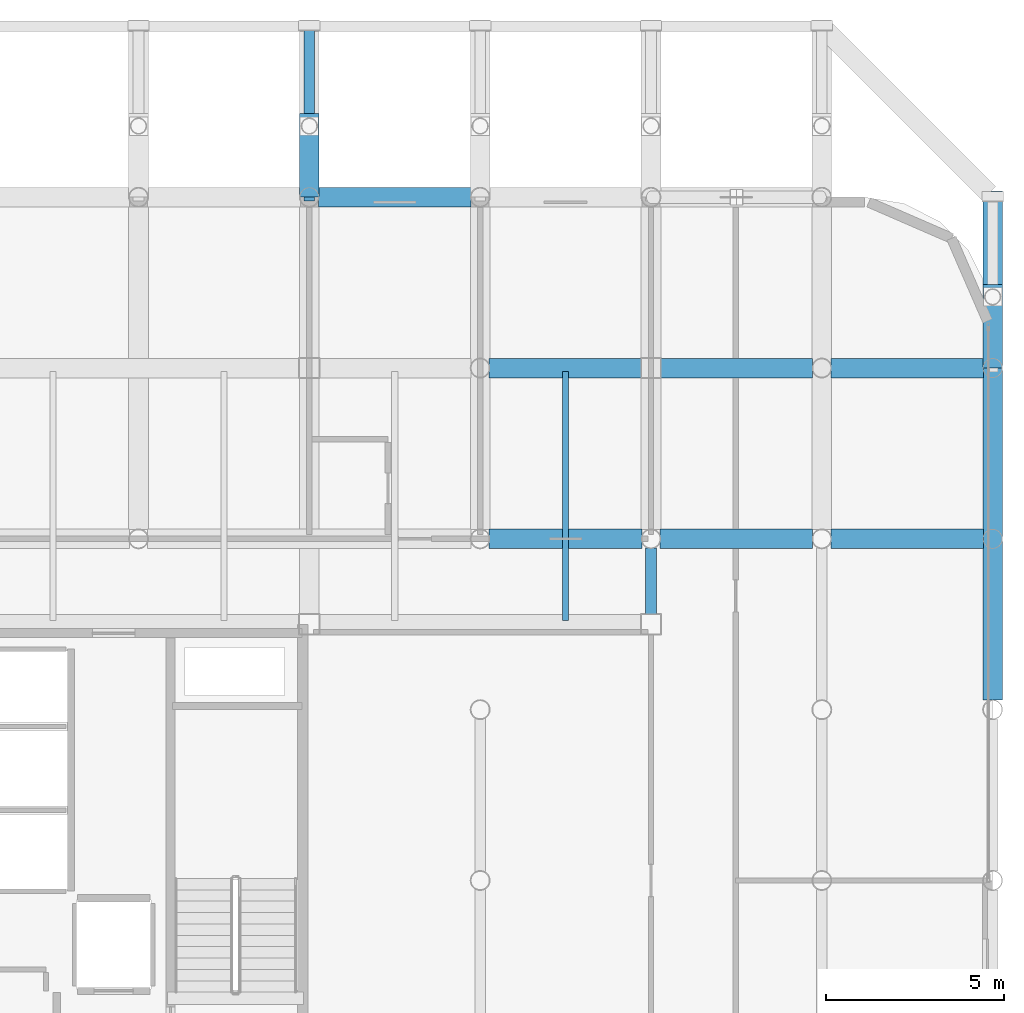
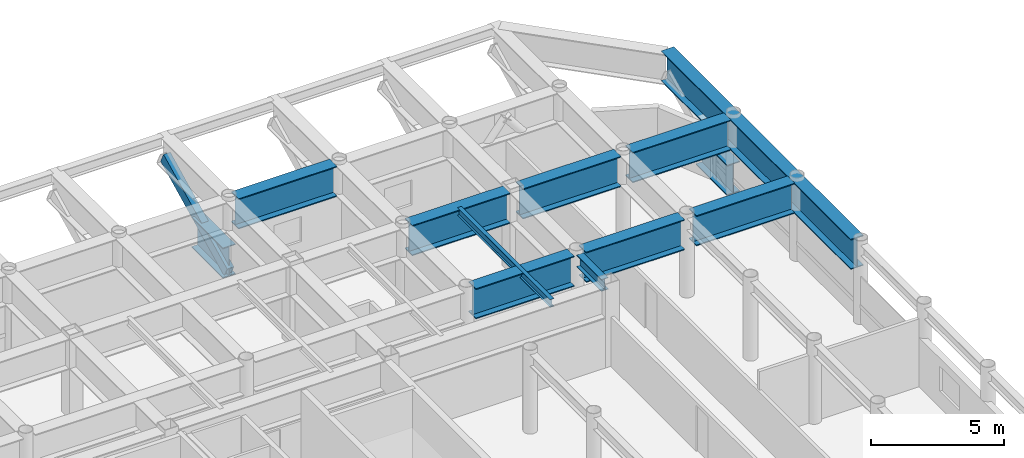
# One storey, part 17 of 24: 12 beams, 1 member.
"""IFC4 building model written with IfcOpenShell, lengths in metres."""

from ifc_helpers import new_model, si_unit, direction, frame, origin, origin_2d, place, context, subcontext, project, spatial, hollow_rectangle, i_section, extrude, material, material_profile, profile_set, type_object, element, save


model = new_model("IFC4")

# Units and contexts
model_context = context("Model", 3, precision=1e-05, world=origin(), true_north=direction((0.0, 1.0)))
body_context = subcontext(model_context, "Body", "Model", "MODEL_VIEW")
ifc_project = project(units=[si_unit("LENGTHUNIT", "METRE"), si_unit("AREAUNIT", "SQUARE_METRE"), si_unit("VOLUMEUNIT", "CUBIC_METRE"), si_unit("PLANEANGLEUNIT", "RADIAN"), si_unit("MASSUNIT", "GRAM", prefix="KILO")], contexts=[model_context])

# Site, building, storey
site_placement = place(None, origin())
site = spatial("IfcSite", under=ifc_project, at=site_placement, CompositionType="ELEMENT")
building_placement = place(site_placement, origin())
building = spatial("IfcBuilding", under=site, at=building_placement, Name="Kallvorn Hotel Tower", CompositionType="ELEMENT")
storey_placement = place(building_placement, frame((0.0, 0.0, 218.449951171875)))
storey = spatial("IfcBuildingStorey", under=building, at=storey_placement, Name="L54", CompositionType="ELEMENT", Elevation=218.449951171875)

# Beams
ifc_material_1 = material(Name="Structural steel S355JR", Category="steel")
ifc_material_profile_1 = material_profile(ifc_material_1, i_section(OverallWidth=0.300048828125, OverallDepth=0.550048828125, WebThickness=0.014892578125, FlangeThickness=0.029052734375, at=origin_2d()), Name="HE 550 B")
ifc_profile_set_1 = profile_set([ifc_material_profile_1], Name="Structural steel S355JR")
beam_type_1 = type_object("IfcBeamType", Name="BM_HE550B", PredefinedType="SPANDREL", material=ifc_profile_set_1)
beam_1_placement = place(storey_placement, frame((24.0, 7.47509765625, 3.39501953125), z_axis=(0.0, 1.0, 0.0), x_axis=(-1.0, 0.0, 0.0)))
element("IfcBeam", 1, at=beam_1_placement, inside=storey, type_object=beam_type_1, Name="L55 Primary Y-Girder 152", PredefinedType="SPANDREL", context=body_context, shape_type="SweptSolid", body=[
    extrude(i_section(OverallWidth=0.300048828125, OverallDepth=0.550048828125, WebThickness=0.014892578125, FlangeThickness=0.029052734375, at=origin_2d()), origin(), (0.0, 0.0, 1.0), 1.870361328125),
])
ifc_material_2 = material(Name="Structural steel S355JR", Category="steel")
ifc_material_profile_2 = material_profile(ifc_material_2, i_section(OverallWidth=0.169921875, OverallDepth=0.360107421875, WebThickness=0.008056640625, FlangeThickness=0.0126953125, at=origin_2d()), Name="IPE 360")
ifc_profile_set_2 = profile_set([ifc_material_profile_2], Name="Structural steel S355JR")
beam_type_2 = type_object("IfcBeamType", Name="BM_IPE360", PredefinedType="JOIST", material=ifc_profile_set_2)
beam_2_placement = place(storey_placement, frame((21.60009765625, 7.300048828125, 3.489990234375), z_axis=(0.0, 1.0, 0.0), x_axis=(-1.0, 0.0, 0.0)))
element("IfcBeam", 2, at=beam_2_placement, inside=storey, type_object=beam_type_2, Name="L55 Secondary Composite Joist 222", PredefinedType="JOIST", context=body_context, shape_type="SweptSolid", body=[
    extrude(i_section(OverallWidth=0.169921875, OverallDepth=0.360107421875, WebThickness=0.008056640625, FlangeThickness=0.0126953125, at=origin_2d()), origin(), (0.0, 0.0, 1.0), 7.0),
])
ifc_material_3 = material(Name="Structural steel S355JR", Category="steel")
ifc_material_profile_3 = material_profile(ifc_material_3, i_section(OverallWidth=0.550048828125, OverallDepth=1.39990234375, WebThickness=0.02490234375, FlangeThickness=0.044921875, at=origin_2d()), Name="PG 1400x550x25x45")
ifc_profile_set_3 = profile_set([ifc_material_profile_3], Name="Structural steel S355JR")
beam_type_3 = type_object("IfcBeamType", Name="BM_PG_1400", PredefinedType="BEAM", material=ifc_profile_set_3)
beam_3_placement = place(storey_placement, frame((14.39990234375, 19.199951171875, 0.719970703125), z_axis=(0.0, 1.0, 0.0), x_axis=(-1.0, 0.0, 0.0)))
element("IfcBeam", 3, at=beam_3_placement, inside=storey, type_object=beam_type_3, Name="L55 Cantilever Haunch Corbel 09", PredefinedType="BEAM", context=body_context, shape_type="SweptSolid", body=[
    extrude(i_section(OverallWidth=0.550048828125, OverallDepth=1.39990234375, WebThickness=0.02490234375, FlangeThickness=0.044921875, at=origin_2d()), origin(), (0.0, 0.0, 1.0), 2.35009765625),
])
beam_4_placement = place(storey_placement, frame((33.60009765625, 5.069580078125, 2.969970703125), z_axis=(0.0, 1.0, 0.0), x_axis=(-1.0, 0.0, 0.0)))
element("IfcBeam", 4, at=beam_4_placement, inside=storey, type_object=beam_type_3, Name="L55 Continuous Cantilever Transfer Girder 13", PredefinedType="BEAM", context=body_context, shape_type="SweptSolid", body=[
    extrude(i_section(OverallWidth=0.550048828125, OverallDepth=1.39990234375, WebThickness=0.02490234375, FlangeThickness=0.044921875, at=origin_2d()), origin(), (0.0, 0.0, 1.0), 14.310302734375),
])
beam_5_placement = place(storey_placement, frame((33.60009765625, 14.39990234375, 0.719970703125), z_axis=(0.0, 1.0, 0.0), x_axis=(-1.0, 0.0, 0.0)))
element("IfcBeam", 5, at=beam_5_placement, inside=storey, type_object=beam_type_3, Name="L55 Cantilever Haunch Corbel 13", PredefinedType="BEAM", context=body_context, shape_type="SweptSolid", body=[
    extrude(i_section(OverallWidth=0.550048828125, OverallDepth=1.39990234375, WebThickness=0.02490234375, FlangeThickness=0.044921875, at=origin_2d()), origin(), (0.0, 0.0, 1.0), 2.35009765625),
])
for number, where, z_axis, x_axis, name in (
    (6, (19.45458984375, 9.60009765625, 2.969970703125), (1.0, 0.0, 0.0), (0.0, 1.0, 0.0), "L55 Primary X-Girder 61"),
    (7, (24.25439453125, 9.60009765625, 2.969970703125), (1.0, 0.0, 0.0), (0.0, 1.0, 0.0), "L55 Primary X-Girder 62"),
    (8, (29.054443359375, 9.60009765625, 2.969970703125), (1.0, 0.0, 0.0), (0.0, 1.0, 0.0), "L55 Primary X-Girder 63"),
):
    element("IfcBeam", number, at=place(storey_placement, frame(where, z_axis=z_axis, x_axis=x_axis)), inside=storey, type_object=beam_type_3, Name=name, PredefinedType="BEAM", context=body_context, shape_type="SweptSolid", body=[
        extrude(i_section(OverallWidth=0.550048828125, OverallDepth=1.39990234375, WebThickness=0.02490234375, FlangeThickness=0.044921875, at=origin_2d()), origin(), (0.0, 0.0, 1.0), 4.291015625),
    ])
for number, where, z_axis, x_axis, name in (
    (9, (19.45458984375, 14.39990234375, 2.969970703125), (1.0, 0.0, 0.0), (0.0, 1.0, 0.0), "L55 Primary X-Girder 71"),
    (10, (24.27490234375, 14.39990234375, 2.969970703125), (1.0, 0.0, 0.0), (0.0, 1.0, 0.0), "L55 Primary X-Girder 72"),
):
    element("IfcBeam", number, at=place(storey_placement, frame(where, z_axis=z_axis, x_axis=x_axis)), inside=storey, type_object=beam_type_3, Name=name, PredefinedType="BEAM", context=body_context, shape_type="SweptSolid", body=[
        extrude(i_section(OverallWidth=0.550048828125, OverallDepth=1.39990234375, WebThickness=0.02490234375, FlangeThickness=0.044921875, at=origin_2d()), origin(), (0.0, 0.0, 1.0), 4.2705078125),
    ])
for number, where, z_axis, x_axis, name in (
    (11, (29.054443359375, 14.39990234375, 2.969970703125), (1.0, 0.0, 0.0), (0.0, 1.0, 0.0), "L55 Primary X-Girder 73"),
    (12, (14.654541015625, 19.199951171875, 2.969970703125), (1.0, 0.0, 0.0), (0.0, 1.0, 0.0), "L55 Primary X-Girder 83"),
):
    element("IfcBeam", number, at=place(storey_placement, frame(where, z_axis=z_axis, x_axis=x_axis)), inside=storey, type_object=beam_type_3, Name=name, PredefinedType="BEAM", context=body_context, shape_type="SweptSolid", body=[
        extrude(i_section(OverallWidth=0.550048828125, OverallDepth=1.39990234375, WebThickness=0.02490234375, FlangeThickness=0.044921875, at=origin_2d()), origin(), (0.0, 0.0, 1.0), 4.291015625),
    ])

# Member
ifc_material_4 = material(Name="Structural steel S355J2H", Category="steel")
ifc_material_profile_4 = material_profile(ifc_material_4, hollow_rectangle(XDim=0.300048828125, YDim=0.5, WallThickness=0.02490234375, at=origin_2d()), Name="RHS 500x300x25")
ifc_profile_set_4 = profile_set([ifc_material_profile_4], Name="Structural steel S355J2H")
member_type = type_object("IfcMemberType", Name="MBR_OUTRIGGER_RHS500", PredefinedType="BRACE", material=ifc_profile_set_4)
member_placement = place(storey_placement, frame((14.39990234375, 19.199951171875, 0.25), z_axis=(0.0, 0.896650696442, 0.442738668484), x_axis=(-1.0, 0.0, 0.0)))
element("IfcMember", 13, at=member_placement, inside=storey, type_object=member_type, Name="L55 Exoskeleton Cantilever Raking Strut 09", PredefinedType="BRACE", context=body_context, shape_type="SweptSolid", body=[
    extrude(hollow_rectangle(XDim=0.300048828125, YDim=0.5, WallThickness=0.02490234375, at=origin_2d()), origin(), (0.0, 0.0, 1.0), 5.353271484375),
])

save(model, "model.ifc")
